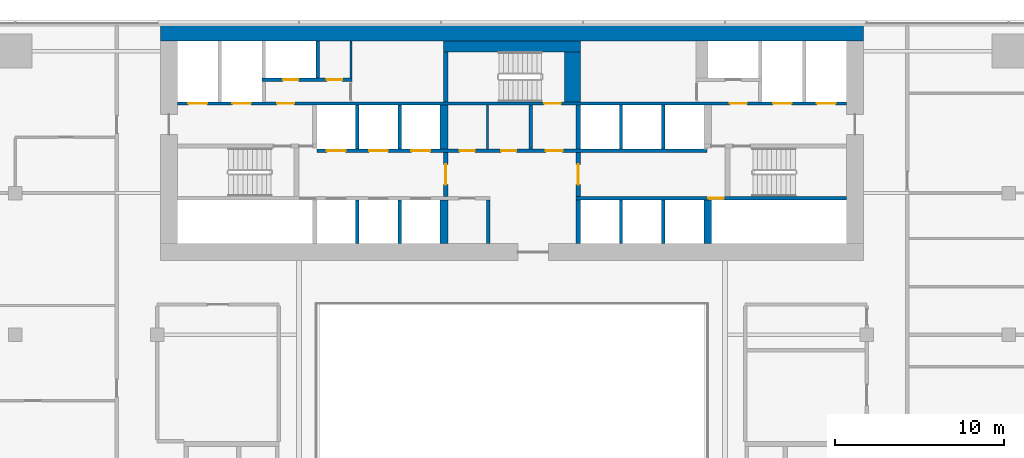
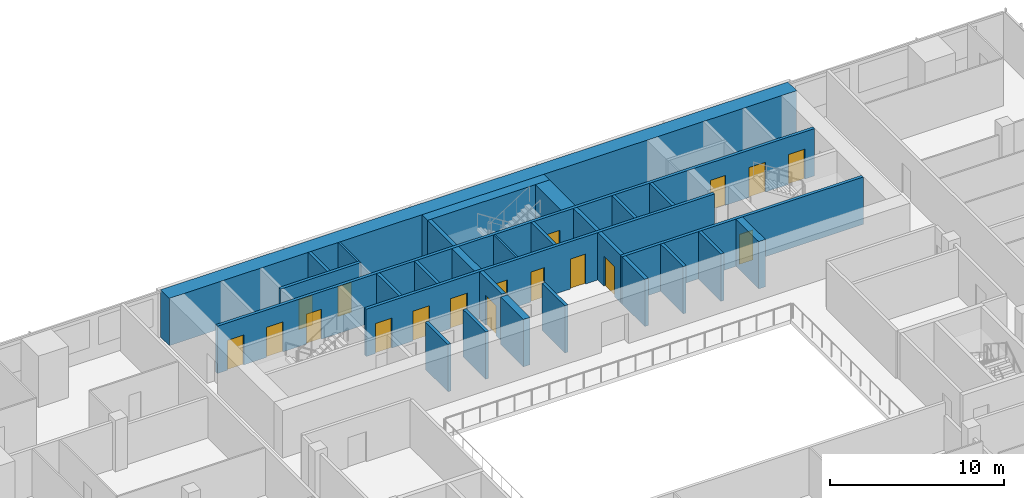
# One storey, part 19 of 25: 28 walls, 18 doors, 18 openings.
"""IFC4 building model written with IfcOpenShell, lengths in metres."""

from ifc_helpers import new_model, si_unit, direction, frame, frame_2d, origin, place, context, subcontext, project, spatial, rectangle, extrude, material, layer, layer_set, type_object, element, fill, save


model = new_model("IFC4")

# Units and contexts
model_context = context("Model", 3, precision=1e-05, world=origin(), true_north=direction((0.0, 1.0)))
body_context = subcontext(model_context, "Body", "Model", "MODEL_VIEW")
ifc_project = project(units=[si_unit("LENGTHUNIT", "METRE"), si_unit("AREAUNIT", "SQUARE_METRE"), si_unit("VOLUMEUNIT", "CUBIC_METRE"), si_unit("PLANEANGLEUNIT", "RADIAN"), si_unit("MASSUNIT", "GRAM", prefix="KILO")], contexts=[model_context])

# Site, building, storey
site_placement = place(None, origin())
site = spatial("IfcSite", under=ifc_project, at=site_placement, CompositionType="ELEMENT")
building_placement = place(site_placement, origin())
building = spatial("IfcBuilding", under=site, at=building_placement, Name="Saffron Gate Tower", CompositionType="ELEMENT")
storey_placement = place(building_placement, frame((0.0, 0.0, 131.25)))
storey = spatial("IfcBuildingStorey", under=building, at=storey_placement, Name="L31", CompositionType="ELEMENT", Elevation=131.25)

# Walls
ifc_material_1 = material(Name="Gypsum board partition on steel studs", Category="steel")
ifc_layer_1 = layer(ifc_material_1, 0.199951171875)
ifc_layer_set_1 = layer_set([ifc_layer_1], Name="CW10 Core partition 200")
wall_type_1 = type_object("IfcWallType", Name="CW10 Core partition 200", PredefinedType="PARTITIONING", material=ifc_layer_set_1)
for number, where, z_axis, x_axis, name in (
    (1, (86.199951171875, 62.39990234375, 0.0), (0.0, 0.0, 1.0), (0.0, 1.0, 0.0), "Wall CW10-L31-9"),
    (2, (88.699951171875, 68.0, 0.0), (0.0, 0.0, 1.0), (0.0, 1.0, 0.0), "Wall CW10-L31-25"),
):
    element("IfcWall", number, at=place(storey_placement, frame(where, z_axis=z_axis, x_axis=x_axis)), inside=storey, type_object=wall_type_1, Name=name, PredefinedType="PARTITIONING", context=body_context, shape_type="SweptSolid", body=[
        extrude(rectangle(XDim=2.60009765625, YDim=0.199951171875, at=frame_2d((1.300048828125, 0.0))), origin(), (0.0, 0.0, 1.0), 3.320068359375),
    ])
ifc_material_2 = material(Name="Concrete C70", Category="concrete")
ifc_layer_2 = layer(ifc_material_2, 1.0)
ifc_layer_set_2 = layer_set([ifc_layer_2], Name="CW12 RC core wall 1000 C70")
wall_type_2 = type_object("IfcWallType", Name="CW12 RC core wall 1000 C70", PredefinedType="SOLIDWALL", material=ifc_layer_set_2)
wall_1_placement = place(storey_placement, frame((66.800048828125, 74.89990234375, 0.0), z_axis=(0.0, 0.0, 1.0), x_axis=(1.0, 0.0, 0.0)))
element("IfcWall", 3, at=wall_1_placement, inside=storey, type_object=wall_type_2, Name="Wall CW12-L31-2", PredefinedType="SOLIDWALL", context=body_context, shape_type="SweptSolid", body=[
    extrude(rectangle(XDim=41.599853515625, YDim=1.0, at=frame_2d((20.7998046875, 0.0))), origin(), (0.0, 0.0, 1.0), 3.320068359375),
])
ifc_layer_3 = layer(ifc_material_2, 0.25)
ifc_layer_set_3 = layer_set([ifc_layer_3], Name="CW2 RC core wall 250 C70")
wall_type_3 = type_object("IfcWallType", Name="CW2 RC core wall 250 C70", PredefinedType="SOLIDWALL", material=ifc_layer_set_3)
wall_2_placement = place(storey_placement, frame((91.52490234375, 62.39990234375, 0.0), z_axis=(0.0, 0.0, 1.0), x_axis=(0.0, 1.0, 0.0)))
element("IfcWall", 4, at=wall_2_placement, inside=storey, type_object=wall_type_3, Name="Wall CW2-L31-10", PredefinedType="SOLIDWALL", context=body_context, shape_type="SweptSolid", body=[
    extrude(rectangle(XDim=2.60009765625, YDim=0.25, at=frame_2d((1.300048828125, 0.0))), origin(), (0.0, 0.0, 1.0), 3.320068359375),
])

# Wall, opening, door
wall_3_placement = place(storey_placement, frame((83.675048828125, 65.199951171875, 0.0), z_axis=(0.0, 0.0, 1.0), x_axis=(0.0, 1.0, 0.0)))
wall_3 = element("IfcWall", 5, at=wall_3_placement, inside=storey, type_object=wall_type_3, Name="Wall CW2-L31-17", PredefinedType="SOLIDWALL", context=body_context, shape_type="SweptSolid", body=[
    extrude(rectangle(XDim=2.60009765625, YDim=0.25, at=frame_2d((1.300048828125, 0.0))), origin(), (0.0, 0.0, 1.0), 3.320068359375),
])
opening_1_placement = place(wall_3_placement, frame((0.699951171875, 0.0, 0.0)))
opening_1 = element("IfcOpeningElement", 6, at=opening_1_placement, cuts=wall_3, Name="Opening CR-07", PredefinedType="OPENING", context=body_context, shape_type="SweptSolid", body=[
    extrude(rectangle(XDim=1.199951171875, YDim=2.10009765625, at=frame_2d((0.60009765625, 1.050048828125))), frame((0.0, 0.135009765625, 0.0), z_axis=(0.0, -1.0, 0.0), x_axis=(1.0, 0.0, 0.0)), (0.0, 0.0, 1.0), 0.27001953125),
])
ifc_material_3 = material(Name="Steel fire door set", Category="steel")
door_type_1 = type_object("IfcDoorType", Name="CD3 Lobby door 1200x2100 EI 120", OperationType="NOTDEFINED", PredefinedType="DOOR", material=ifc_material_3)
door_1_placement = place(opening_1_placement, origin())
door_1 = element("IfcDoor", 7, at=door_1_placement, inside=storey, type_object=door_type_1, Name="DOOR CR-07", OperationType="SINGLE_SWING_RIGHT", OverallHeight=2.10009765625, OverallWidth=1.199951171875, PredefinedType="DOOR", context=body_context, shape_type="SweptSolid", body=[
    extrude(rectangle(XDim=1.199951171875, YDim=2.10009765625, at=frame_2d((0.60009765625, 1.050048828125))), frame((0.0, 0.02490234375, 0.0), z_axis=(0.0, -1.0, 0.0), x_axis=(1.0, 0.0, 0.0)), (0.0, 0.0, 1.0), 0.050048828125),
])
fill(opening_1, door_1)

wall_4_placement = place(storey_placement, frame((91.52490234375, 65.199951171875, 0.0), z_axis=(0.0, 0.0, 1.0), x_axis=(0.0, 1.0, 0.0)))
wall_4 = element("IfcWall", 8, at=wall_4_placement, inside=storey, type_object=wall_type_3, Name="Wall CW2-L31-18", PredefinedType="SOLIDWALL", context=body_context, shape_type="SweptSolid", body=[
    extrude(rectangle(XDim=2.60009765625, YDim=0.25, at=frame_2d((1.300048828125, 0.0))), origin(), (0.0, 0.0, 1.0), 3.320068359375),
])
opening_2_placement = place(wall_4_placement, frame((0.699951171875, 0.0, 0.0)))
opening_2 = element("IfcOpeningElement", 9, at=opening_2_placement, cuts=wall_4, Name="Opening CR-01", PredefinedType="OPENING", context=body_context, shape_type="SweptSolid", body=[
    extrude(rectangle(XDim=1.199951171875, YDim=2.10009765625, at=frame_2d((0.60009765625, 1.050048828125))), frame((0.0, 0.135009765625, 0.0), z_axis=(0.0, -1.0, 0.0), x_axis=(1.0, 0.0, 0.0)), (0.0, 0.0, 1.0), 0.27001953125),
])
door_2_placement = place(opening_2_placement, origin())
door_2 = element("IfcDoor", 10, at=door_2_placement, inside=storey, type_object=door_type_1, Name="DOOR CR-01", OperationType="SINGLE_SWING_RIGHT", OverallHeight=2.10009765625, OverallWidth=1.199951171875, PredefinedType="DOOR", context=body_context, shape_type="SweptSolid", body=[
    extrude(rectangle(XDim=1.199951171875, YDim=2.10009765625, at=frame_2d((0.60009765625, 1.050048828125))), frame((0.0, 0.02490234375, 0.0), z_axis=(0.0, -1.0, 0.0), x_axis=(1.0, 0.0, 0.0)), (0.0, 0.0, 1.0), 0.050048828125),
])
fill(opening_2, door_2)

# Walls
wall_5_placement = place(storey_placement, frame((91.52490234375, 68.0, 0.0), z_axis=(0.0, 0.0, 1.0), x_axis=(0.0, 1.0, 0.0)))
element("IfcWall", 11, at=wall_5_placement, inside=storey, type_object=wall_type_3, Name="Wall CW2-L31-26", PredefinedType="SOLIDWALL", context=body_context, shape_type="SweptSolid", body=[
    extrude(rectangle(XDim=2.60009765625, YDim=0.25, at=frame_2d((1.300048828125, 0.0))), origin(), (0.0, 0.0, 1.0), 3.320068359375),
])
wall_6_placement = place(storey_placement, frame((83.675048828125, 70.800048828125, 0.0), z_axis=(0.0, 0.0, 1.0), x_axis=(0.0, 1.0, 0.0)))
element("IfcWall", 12, at=wall_6_placement, inside=storey, type_object=wall_type_3, Name="Wall CW2-L31-38", PredefinedType="SOLIDWALL", context=body_context, shape_type="SweptSolid", body=[
    extrude(rectangle(XDim=2.949951171875, YDim=0.25, at=frame_2d((1.47509765625, 0.0))), origin(), (0.0, 0.0, 1.0), 3.320068359375),
])
ifc_layer_4 = layer(ifc_material_2, 0.199951171875)
ifc_layer_set_4 = layer_set([ifc_layer_4], Name="CW3 RC core wall 200 C70")
wall_type_4 = type_object("IfcWallType", Name="CW3 RC core wall 200 C70", PredefinedType="SOLIDWALL", material=ifc_layer_set_4)
for number, where, z_axis, x_axis, name in (
    (13, (78.449951171875, 62.39990234375, 0.0), (0.0, 0.0, 1.0), (0.0, 1.0, 0.0), "Wall CW3-L31-6"),
    (14, (80.949951171875, 62.39990234375, 0.0), (0.0, 0.0, 1.0), (0.0, 1.0, 0.0), "Wall CW3-L31-7"),
    (15, (94.050048828125, 62.39990234375, 0.0), (0.0, 0.0, 1.0), (0.0, 1.0, 0.0), "Wall CW3-L31-11"),
    (16, (96.550048828125, 62.39990234375, 0.0), (0.0, 0.0, 1.0), (0.0, 1.0, 0.0), "Wall CW3-L31-12"),
):
    element("IfcWall", number, at=place(storey_placement, frame(where, z_axis=z_axis, x_axis=x_axis)), inside=storey, type_object=wall_type_4, Name=name, PredefinedType="SOLIDWALL", context=body_context, shape_type="SweptSolid", body=[
        extrude(rectangle(XDim=2.60009765625, YDim=0.199951171875, at=frame_2d((1.300048828125, 0.0))), origin(), (0.0, 0.0, 1.0), 3.320068359375),
    ])

# Wall, opening, door
wall_7_placement = place(storey_placement, frame((91.39990234375, 65.10009765625, 0.0), z_axis=(0.0, 0.0, 1.0), x_axis=(1.0, 0.0, 0.0)))
wall_7 = element("IfcWall", 17, at=wall_7_placement, inside=storey, type_object=wall_type_4, Name="Wall CW3-L31-15", PredefinedType="SOLIDWALL", context=body_context, shape_type="SweptSolid", body=[
    extrude(rectangle(XDim=16.0, YDim=0.199951171875, at=frame_2d((8.0, 0.0))), origin(), (0.0, 0.0, 1.0), 3.320068359375),
])
opening_3_placement = place(wall_7_placement, frame((7.830078125, 0.0, 0.0)))
opening_3 = element("IfcOpeningElement", 18, at=opening_3_placement, cuts=wall_7, Name="Opening CR-48", PredefinedType="OPENING", context=body_context, shape_type="SweptSolid", body=[
    extrude(rectangle(XDim=0.89990234375, YDim=2.10009765625, at=frame_2d((0.449951171875, 1.050048828125))), frame((0.0, 0.10986328125, 0.0), z_axis=(0.0, -1.0, 0.0), x_axis=(1.0, 0.0, 0.0)), (0.0, 0.0, 1.0), 0.219970703125),
])
door_type_2 = type_object("IfcDoorType", Name="CD2 Riser door 900x2100 EI 60", OperationType="NOTDEFINED", PredefinedType="DOOR", material=ifc_material_3)
door_3_placement = place(opening_3_placement, origin())
door_3 = element("IfcDoor", 19, at=door_3_placement, inside=storey, type_object=door_type_2, Name="DOOR CR-48", OperationType="SINGLE_SWING_RIGHT", OverallHeight=2.10009765625, OverallWidth=0.89990234375, PredefinedType="DOOR", context=body_context, shape_type="SweptSolid", body=[
    extrude(rectangle(XDim=0.89990234375, YDim=2.10009765625, at=frame_2d((0.449951171875, 1.050048828125))), frame((0.0, 0.02490234375, 0.0), z_axis=(0.0, -1.0, 0.0), x_axis=(1.0, 0.0, 0.0)), (0.0, 0.0, 1.0), 0.050048828125),
])
fill(opening_3, door_3)

# Wall, openings, doors
wall_8_placement = place(storey_placement, frame((76.050048828125, 67.89990234375, 0.0), z_axis=(0.0, 0.0, 1.0), x_axis=(1.0, 0.0, 0.0)))
wall_8 = element("IfcWall", 20, at=wall_8_placement, inside=storey, type_object=wall_type_4, Name="Wall CW3-L31-20", PredefinedType="SOLIDWALL", context=body_context, shape_type="SweptSolid", body=[
    extrude(rectangle(XDim=23.099853515625, YDim=0.199951171875, at=frame_2d((11.5498046875, 0.0))), origin(), (0.0, 0.0, 1.0), 3.320068359375),
])
opening_4_placement = place(wall_8_placement, frame((0.60009765625, 0.0, 0.0)))
opening_4 = element("IfcOpeningElement", 21, at=opening_4_placement, cuts=wall_8, Name="Opening LD-LR4", PredefinedType="OPENING", context=body_context, shape_type="SweptSolid", body=[
    extrude(rectangle(XDim=1.10009765625, YDim=2.10009765625, at=frame_2d((0.550048828125, 1.050048828125))), frame((0.0, 0.10986328125, 0.0), z_axis=(0.0, -1.0, 0.0), x_axis=(1.0, 0.0, 0.0)), (0.0, 0.0, 1.0), 0.219970703125),
])
opening_5_placement = place(wall_8_placement, frame((3.10009765625, 0.0, 0.0)))
opening_5 = element("IfcOpeningElement", 22, at=opening_5_placement, cuts=wall_8, Name="Opening LD-LR5", PredefinedType="OPENING", context=body_context, shape_type="SweptSolid", body=[
    extrude(rectangle(XDim=1.10009765625, YDim=2.10009765625, at=frame_2d((0.550048828125, 1.050048828125))), frame((0.0, 0.10986328125, 0.0), z_axis=(0.0, -1.0, 0.0), x_axis=(1.0, 0.0, 0.0)), (0.0, 0.0, 1.0), 0.219970703125),
])
opening_6_placement = place(wall_8_placement, frame((5.60009765625, 0.0, 0.0)))
opening_6 = element("IfcOpeningElement", 23, at=opening_6_placement, cuts=wall_8, Name="Opening LD-LR6", PredefinedType="OPENING", context=body_context, shape_type="SweptSolid", body=[
    extrude(rectangle(XDim=1.10009765625, YDim=2.10009765625, at=frame_2d((0.550048828125, 1.050048828125))), frame((0.0, 0.10986328125, 0.0), z_axis=(0.0, -1.0, 0.0), x_axis=(1.0, 0.0, 0.0)), (0.0, 0.0, 1.0), 0.219970703125),
])
opening_7_placement = place(wall_8_placement, frame((8.449951171875, 0.0, 0.0)))
opening_7 = element("IfcOpeningElement", 24, at=opening_7_placement, cuts=wall_8, Name="Opening CR-67", PredefinedType="OPENING", context=body_context, shape_type="SweptSolid", body=[
    extrude(rectangle(XDim=0.89990234375, YDim=2.10009765625, at=frame_2d((0.449951171875, 1.050048828125))), frame((0.0, 0.10986328125, 0.0), z_axis=(0.0, -1.0, 0.0), x_axis=(1.0, 0.0, 0.0)), (0.0, 0.0, 1.0), 0.219970703125),
])
opening_8_placement = place(wall_8_placement, frame((10.909912109375, 0.0, 0.0)))
opening_8 = element("IfcOpeningElement", 25, at=opening_8_placement, cuts=wall_8, Name="Opening CR-68", PredefinedType="OPENING", context=body_context, shape_type="SweptSolid", body=[
    extrude(rectangle(XDim=0.89990234375, YDim=2.10009765625, at=frame_2d((0.449951171875, 1.050048828125))), frame((0.0, 0.10986328125, 0.0), z_axis=(0.0, -1.0, 0.0), x_axis=(1.0, 0.0, 0.0)), (0.0, 0.0, 1.0), 0.219970703125),
])
opening_9_placement = place(wall_8_placement, frame((13.550048828125, 0.0, 0.0)))
opening_9 = element("IfcOpeningElement", 26, at=opening_9_placement, cuts=wall_8, Name="Opening CR-02", PredefinedType="OPENING", context=body_context, shape_type="SweptSolid", body=[
    extrude(rectangle(XDim=1.0, YDim=2.10009765625, at=frame_2d((0.5, 1.050048828125))), frame((0.0, 0.10986328125, 0.0), z_axis=(0.0, -1.0, 0.0), x_axis=(1.0, 0.0, 0.0)), (0.0, 0.0, 1.0), 0.219970703125),
])
door_type_3 = type_object("IfcDoorType", Name="CD4 Lobby door 1000x2100 EI 120", OperationType="NOTDEFINED", PredefinedType="DOOR", material=ifc_material_3)
door_4_placement = place(opening_9_placement, origin())
door_4 = element("IfcDoor", 27, at=door_4_placement, inside=storey, type_object=door_type_3, Name="DOOR CR-02", OperationType="SINGLE_SWING_LEFT", OverallHeight=2.10009765625, OverallWidth=1.0, PredefinedType="DOOR", context=body_context, shape_type="SweptSolid", body=[
    extrude(rectangle(XDim=1.0, YDim=2.10009765625, at=frame_2d((0.5, 1.050048828125))), frame((0.0, 0.02490234375, 0.0), z_axis=(0.0, -1.0, 0.0), x_axis=(1.0, 0.0, 0.0)), (0.0, 0.0, 1.0), 0.050048828125),
])
fill(opening_9, door_4)
door_type_4 = type_object("IfcDoorType", Name="CD9 Room door 900x2100 EI 60", OperationType="NOTDEFINED", PredefinedType="DOOR", material=ifc_material_3)
door_5_placement = place(opening_7_placement, origin())
door_5 = element("IfcDoor", 28, at=door_5_placement, inside=storey, type_object=door_type_4, Name="DOOR CR-67", OperationType="SINGLE_SWING_LEFT", OverallHeight=2.10009765625, OverallWidth=0.89990234375, PredefinedType="DOOR", context=body_context, shape_type="SweptSolid", body=[
    extrude(rectangle(XDim=0.89990234375, YDim=2.10009765625, at=frame_2d((0.449951171875, 1.050048828125))), frame((0.0, 0.02490234375, 0.0), z_axis=(0.0, -1.0, 0.0), x_axis=(1.0, 0.0, 0.0)), (0.0, 0.0, 1.0), 0.050048828125),
])
fill(opening_7, door_5)
door_6_placement = place(opening_8_placement, origin())
door_6 = element("IfcDoor", 29, at=door_6_placement, inside=storey, type_object=door_type_4, Name="DOOR CR-68", OperationType="SINGLE_SWING_LEFT", OverallHeight=2.10009765625, OverallWidth=0.89990234375, PredefinedType="DOOR", context=body_context, shape_type="SweptSolid", body=[
    extrude(rectangle(XDim=0.89990234375, YDim=2.10009765625, at=frame_2d((0.449951171875, 1.050048828125))), frame((0.0, 0.02490234375, 0.0), z_axis=(0.0, -1.0, 0.0), x_axis=(1.0, 0.0, 0.0)), (0.0, 0.0, 1.0), 0.050048828125),
])
fill(opening_8, door_6)
ifc_material_4 = material(Name="Stainless steel landing door", Category="steel")
door_type_5 = type_object("IfcDoorType", Name="LD Lift landing door 1100x2100 EI 120", OperationType="SLIDING_TO_LEFT", PredefinedType="DOOR", material=ifc_material_4)
door_7_placement = place(opening_4_placement, origin())
door_7 = element("IfcDoor", 30, at=door_7_placement, inside=storey, type_object=door_type_5, Name="LANDING DOOR LD-LR4", OperationType="SLIDING_TO_RIGHT", OverallHeight=2.10009765625, OverallWidth=1.10009765625, PredefinedType="DOOR", context=body_context, shape_type="SweptSolid", body=[
    extrude(rectangle(XDim=1.10009765625, YDim=2.10009765625, at=frame_2d((0.550048828125, 1.050048828125))), frame((0.0, 0.02490234375, 0.0), z_axis=(0.0, -1.0, 0.0), x_axis=(1.0, 0.0, 0.0)), (0.0, 0.0, 1.0), 0.050048828125),
])
fill(opening_4, door_7)
door_8_placement = place(opening_5_placement, origin())
door_8 = element("IfcDoor", 31, at=door_8_placement, inside=storey, type_object=door_type_5, Name="LANDING DOOR LD-LR5", OperationType="SLIDING_TO_RIGHT", OverallHeight=2.10009765625, OverallWidth=1.10009765625, PredefinedType="DOOR", context=body_context, shape_type="SweptSolid", body=[
    extrude(rectangle(XDim=1.10009765625, YDim=2.10009765625, at=frame_2d((0.550048828125, 1.050048828125))), frame((0.0, 0.02490234375, 0.0), z_axis=(0.0, -1.0, 0.0), x_axis=(1.0, 0.0, 0.0)), (0.0, 0.0, 1.0), 0.050048828125),
])
fill(opening_5, door_8)
door_9_placement = place(opening_6_placement, origin())
door_9 = element("IfcDoor", 32, at=door_9_placement, inside=storey, type_object=door_type_5, Name="LANDING DOOR LD-LR6", OperationType="SLIDING_TO_RIGHT", OverallHeight=2.10009765625, OverallWidth=1.10009765625, PredefinedType="DOOR", context=body_context, shape_type="SweptSolid", body=[
    extrude(rectangle(XDim=1.10009765625, YDim=2.10009765625, at=frame_2d((0.550048828125, 1.050048828125))), frame((0.0, 0.02490234375, 0.0), z_axis=(0.0, -1.0, 0.0), x_axis=(1.0, 0.0, 0.0)), (0.0, 0.0, 1.0), 0.050048828125),
])
fill(opening_6, door_9)

# Walls
for number, where, z_axis, x_axis, name in (
    (33, (78.449951171875, 68.0, 0.0), (0.0, 0.0, 1.0), (0.0, 1.0, 0.0), "Wall CW3-L31-21"),
    (34, (80.949951171875, 68.0, 0.0), (0.0, 0.0, 1.0), (0.0, 1.0, 0.0), "Wall CW3-L31-22"),
    (35, (94.050048828125, 68.0, 0.0), (0.0, 0.0, 1.0), (0.0, 1.0, 0.0), "Wall CW3-L31-27"),
    (36, (96.550048828125, 68.0, 0.0), (0.0, 0.0, 1.0), (0.0, 1.0, 0.0), "Wall CW3-L31-28"),
):
    element("IfcWall", number, at=place(storey_placement, frame(where, z_axis=z_axis, x_axis=x_axis)), inside=storey, type_object=wall_type_4, Name=name, PredefinedType="SOLIDWALL", context=body_context, shape_type="SweptSolid", body=[
        extrude(rectangle(XDim=2.60009765625, YDim=0.199951171875, at=frame_2d((1.300048828125, 0.0))), origin(), (0.0, 0.0, 1.0), 3.320068359375),
    ])

# Wall, openings, doors
wall_9_placement = place(storey_placement, frame((67.800048828125, 70.699951171875, 0.0), z_axis=(0.0, 0.0, 1.0), x_axis=(1.0, 0.0, 0.0)))
wall_9 = element("IfcWall", 37, at=wall_9_placement, inside=storey, type_object=wall_type_4, Name="Wall CW3-L31-34", PredefinedType="SOLIDWALL", context=body_context, shape_type="SweptSolid", body=[
    extrude(rectangle(XDim=39.599853515625, YDim=0.199951171875, at=frame_2d((19.7998046875, 0.0))), origin(), (0.0, 0.0, 1.0), 3.320068359375),
])
opening_10_placement = place(wall_9_placement, frame((0.64990234375, 0.0, 0.0)))
opening_10 = element("IfcOpeningElement", 38, at=opening_10_placement, cuts=wall_9, Name="Opening LD-FF1", PredefinedType="OPENING", context=body_context, shape_type="SweptSolid", body=[
    extrude(rectangle(XDim=1.10009765625, YDim=2.10009765625, at=frame_2d((0.550048828125, 1.050048828125))), frame((0.0, 0.10986328125, 0.0), z_axis=(0.0, -1.0, 0.0), x_axis=(1.0, 0.0, 0.0)), (0.0, 0.0, 1.0), 0.219970703125),
])
opening_11_placement = place(wall_9_placement, frame((3.25, 0.0, 0.0)))
opening_11 = element("IfcOpeningElement", 39, at=opening_11_placement, cuts=wall_9, Name="Opening LD-SV1", PredefinedType="OPENING", context=body_context, shape_type="SweptSolid", body=[
    extrude(rectangle(XDim=1.10009765625, YDim=2.10009765625, at=frame_2d((0.550048828125, 1.050048828125))), frame((0.0, 0.10986328125, 0.0), z_axis=(0.0, -1.0, 0.0), x_axis=(1.0, 0.0, 0.0)), (0.0, 0.0, 1.0), 0.219970703125),
])
opening_12_placement = place(wall_9_placement, frame((5.89990234375, 0.0, 0.0)))
opening_12 = element("IfcOpeningElement", 40, at=opening_12_placement, cuts=wall_9, Name="Opening CR-03", PredefinedType="OPENING", context=body_context, shape_type="SweptSolid", body=[
    extrude(rectangle(XDim=1.0, YDim=2.10009765625, at=frame_2d((0.5, 1.050048828125))), frame((0.0, 0.10986328125, 0.0), z_axis=(0.0, -1.0, 0.0), x_axis=(1.0, 0.0, 0.0)), (0.0, 0.0, 1.0), 0.219970703125),
])
opening_13_placement = place(wall_9_placement, frame((21.699951171875, 0.0, 0.0)))
opening_13 = element("IfcOpeningElement", 41, at=opening_13_placement, cuts=wall_9, Name="Opening CR-17", PredefinedType="OPENING", context=body_context, shape_type="SweptSolid", body=[
    extrude(rectangle(XDim=1.0, YDim=2.10009765625, at=frame_2d((0.5, 1.050048828125))), frame((0.0, 0.10986328125, 0.0), z_axis=(0.0, -1.0, 0.0), x_axis=(1.0, 0.0, 0.0)), (0.0, 0.0, 1.0), 0.219970703125),
])
opening_14_placement = place(wall_9_placement, frame((32.699951171875, 0.0, 0.0)))
opening_14 = element("IfcOpeningElement", 42, at=opening_14_placement, cuts=wall_9, Name="Opening CR-04", PredefinedType="OPENING", context=body_context, shape_type="SweptSolid", body=[
    extrude(rectangle(XDim=1.0, YDim=2.10009765625, at=frame_2d((0.5, 1.050048828125))), frame((0.0, 0.10986328125, 0.0), z_axis=(0.0, -1.0, 0.0), x_axis=(1.0, 0.0, 0.0)), (0.0, 0.0, 1.0), 0.219970703125),
])
opening_15_placement = place(wall_9_placement, frame((35.25, 0.0, 0.0)))
opening_15 = element("IfcOpeningElement", 43, at=opening_15_placement, cuts=wall_9, Name="Opening LD-SV2", PredefinedType="OPENING", context=body_context, shape_type="SweptSolid", body=[
    extrude(rectangle(XDim=1.10009765625, YDim=2.10009765625, at=frame_2d((0.550048828125, 1.050048828125))), frame((0.0, 0.10986328125, 0.0), z_axis=(0.0, -1.0, 0.0), x_axis=(1.0, 0.0, 0.0)), (0.0, 0.0, 1.0), 0.219970703125),
])
opening_16_placement = place(wall_9_placement, frame((37.85009765625, 0.0, 0.0)))
opening_16 = element("IfcOpeningElement", 44, at=opening_16_placement, cuts=wall_9, Name="Opening LD-FF2", PredefinedType="OPENING", context=body_context, shape_type="SweptSolid", body=[
    extrude(rectangle(XDim=1.10009765625, YDim=2.10009765625, at=frame_2d((0.550048828125, 1.050048828125))), frame((0.0, 0.10986328125, 0.0), z_axis=(0.0, -1.0, 0.0), x_axis=(1.0, 0.0, 0.0)), (0.0, 0.0, 1.0), 0.219970703125),
])
door_10_placement = place(opening_12_placement, origin())
door_10 = element("IfcDoor", 45, at=door_10_placement, inside=storey, type_object=door_type_3, Name="DOOR CR-03", OperationType="SINGLE_SWING_LEFT", OverallHeight=2.10009765625, OverallWidth=1.0, PredefinedType="DOOR", context=body_context, shape_type="SweptSolid", body=[
    extrude(rectangle(XDim=1.0, YDim=2.10009765625, at=frame_2d((0.5, 1.050048828125))), frame((0.0, 0.02490234375, 0.0), z_axis=(0.0, -1.0, 0.0), x_axis=(1.0, 0.0, 0.0)), (0.0, 0.0, 1.0), 0.050048828125),
])
fill(opening_12, door_10)
door_11_placement = place(opening_14_placement, origin())
door_11 = element("IfcDoor", 46, at=door_11_placement, inside=storey, type_object=door_type_3, Name="DOOR CR-04", OperationType="SINGLE_SWING_RIGHT", OverallHeight=2.10009765625, OverallWidth=1.0, PredefinedType="DOOR", context=body_context, shape_type="SweptSolid", body=[
    extrude(rectangle(XDim=1.0, YDim=2.10009765625, at=frame_2d((0.5, 1.050048828125))), frame((0.0, 0.02490234375, 0.0), z_axis=(0.0, -1.0, 0.0), x_axis=(1.0, 0.0, 0.0)), (0.0, 0.0, 1.0), 0.050048828125),
])
fill(opening_14, door_11)
door_type_6 = type_object("IfcDoorType", Name="CD5 Stair door 1000x2100 EI 120", OperationType="NOTDEFINED", PredefinedType="DOOR", material=ifc_material_3)
door_12_placement = place(opening_13_placement, origin())
door_12 = element("IfcDoor", 47, at=door_12_placement, inside=storey, type_object=door_type_6, Name="DOOR CR-17", OperationType="SINGLE_SWING_RIGHT", OverallHeight=2.10009765625, OverallWidth=1.0, PredefinedType="DOOR", context=body_context, shape_type="SweptSolid", body=[
    extrude(rectangle(XDim=1.0, YDim=2.10009765625, at=frame_2d((0.5, 1.050048828125))), frame((0.0, 0.02490234375, 0.0), z_axis=(0.0, -1.0, 0.0), x_axis=(1.0, 0.0, 0.0)), (0.0, 0.0, 1.0), 0.050048828125),
])
fill(opening_13, door_12)
door_13_placement = place(opening_10_placement, origin())
door_13 = element("IfcDoor", 48, at=door_13_placement, inside=storey, type_object=door_type_5, Name="LANDING DOOR LD-FF1", OperationType="SLIDING_TO_RIGHT", OverallHeight=2.10009765625, OverallWidth=1.10009765625, PredefinedType="DOOR", context=body_context, shape_type="SweptSolid", body=[
    extrude(rectangle(XDim=1.10009765625, YDim=2.10009765625, at=frame_2d((0.550048828125, 1.050048828125))), frame((0.0, 0.02490234375, 0.0), z_axis=(0.0, -1.0, 0.0), x_axis=(1.0, 0.0, 0.0)), (0.0, 0.0, 1.0), 0.050048828125),
])
fill(opening_10, door_13)
door_14_placement = place(opening_11_placement, origin())
door_14 = element("IfcDoor", 49, at=door_14_placement, inside=storey, type_object=door_type_5, Name="LANDING DOOR LD-SV1", OperationType="SLIDING_TO_RIGHT", OverallHeight=2.10009765625, OverallWidth=1.10009765625, PredefinedType="DOOR", context=body_context, shape_type="SweptSolid", body=[
    extrude(rectangle(XDim=1.10009765625, YDim=2.10009765625, at=frame_2d((0.550048828125, 1.050048828125))), frame((0.0, 0.02490234375, 0.0), z_axis=(0.0, -1.0, 0.0), x_axis=(1.0, 0.0, 0.0)), (0.0, 0.0, 1.0), 0.050048828125),
])
fill(opening_11, door_14)
door_15_placement = place(opening_15_placement, origin())
door_15 = element("IfcDoor", 50, at=door_15_placement, inside=storey, type_object=door_type_5, Name="LANDING DOOR LD-SV2", OperationType="SLIDING_TO_RIGHT", OverallHeight=2.10009765625, OverallWidth=1.10009765625, PredefinedType="DOOR", context=body_context, shape_type="SweptSolid", body=[
    extrude(rectangle(XDim=1.10009765625, YDim=2.10009765625, at=frame_2d((0.550048828125, 1.050048828125))), frame((0.0, 0.02490234375, 0.0), z_axis=(0.0, -1.0, 0.0), x_axis=(1.0, 0.0, 0.0)), (0.0, 0.0, 1.0), 0.050048828125),
])
fill(opening_15, door_15)
door_16_placement = place(opening_16_placement, origin())
door_16 = element("IfcDoor", 51, at=door_16_placement, inside=storey, type_object=door_type_5, Name="LANDING DOOR LD-FF2", OperationType="SLIDING_TO_RIGHT", OverallHeight=2.10009765625, OverallWidth=1.10009765625, PredefinedType="DOOR", context=body_context, shape_type="SweptSolid", body=[
    extrude(rectangle(XDim=1.10009765625, YDim=2.10009765625, at=frame_2d((0.550048828125, 1.050048828125))), frame((0.0, 0.02490234375, 0.0), z_axis=(0.0, -1.0, 0.0), x_axis=(1.0, 0.0, 0.0)), (0.0, 0.0, 1.0), 0.050048828125),
])
fill(opening_16, door_16)

wall_10_placement = place(storey_placement, frame((72.800048828125, 72.10009765625, 0.0), z_axis=(0.0, 0.0, 1.0), x_axis=(1.0, 0.0, 0.0)))
wall_10 = element("IfcWall", 52, at=wall_10_placement, inside=storey, type_object=wall_type_4, Name="Wall CW3-L31-43", PredefinedType="SOLIDWALL", context=body_context, shape_type="SweptSolid", body=[
    extrude(rectangle(XDim=5.320068359375, YDim=0.199951171875, at=frame_2d((2.66015625, 0.0))), origin(), (0.0, 0.0, 1.0), 3.320068359375),
])
opening_17_placement = place(wall_10_placement, frame((1.25, 0.0, 0.0)))
opening_17 = element("IfcOpeningElement", 53, at=opening_17_placement, cuts=wall_10, Name="Opening CR-71", PredefinedType="OPENING", context=body_context, shape_type="SweptSolid", body=[
    extrude(rectangle(XDim=0.89990234375, YDim=2.10009765625, at=frame_2d((0.449951171875, 1.050048828125))), frame((0.0, 0.10986328125, 0.0), z_axis=(0.0, -1.0, 0.0), x_axis=(1.0, 0.0, 0.0)), (0.0, 0.0, 1.0), 0.219970703125),
])
opening_18_placement = place(wall_10_placement, frame((3.85009765625, 0.0, 0.0)))
opening_18 = element("IfcOpeningElement", 54, at=opening_18_placement, cuts=wall_10, Name="Opening CR-55", PredefinedType="OPENING", context=body_context, shape_type="SweptSolid", body=[
    extrude(rectangle(XDim=0.89990234375, YDim=2.10009765625, at=frame_2d((0.449951171875, 1.050048828125))), frame((0.0, 0.10986328125, 0.0), z_axis=(0.0, -1.0, 0.0), x_axis=(1.0, 0.0, 0.0)), (0.0, 0.0, 1.0), 0.219970703125),
])
door_17_placement = place(opening_17_placement, origin())
door_17 = element("IfcDoor", 55, at=door_17_placement, inside=storey, type_object=door_type_2, Name="DOOR CR-71", OperationType="SINGLE_SWING_LEFT", OverallHeight=2.10009765625, OverallWidth=0.89990234375, PredefinedType="DOOR", context=body_context, shape_type="SweptSolid", body=[
    extrude(rectangle(XDim=0.89990234375, YDim=2.10009765625, at=frame_2d((0.449951171875, 1.050048828125))), frame((0.0, 0.02490234375, 0.0), z_axis=(0.0, -1.0, 0.0), x_axis=(1.0, 0.0, 0.0)), (0.0, 0.0, 1.0), 0.050048828125),
])
fill(opening_17, door_17)
door_18_placement = place(opening_18_placement, origin())
door_18 = element("IfcDoor", 56, at=door_18_placement, inside=storey, type_object=door_type_4, Name="DOOR CR-55", OperationType="SINGLE_SWING_LEFT", OverallHeight=2.10009765625, OverallWidth=0.89990234375, PredefinedType="DOOR", context=body_context, shape_type="SweptSolid", body=[
    extrude(rectangle(XDim=0.89990234375, YDim=2.10009765625, at=frame_2d((0.449951171875, 1.050048828125))), frame((0.0, 0.02490234375, 0.0), z_axis=(0.0, -1.0, 0.0), x_axis=(1.0, 0.0, 0.0)), (0.0, 0.0, 1.0), 0.050048828125),
])
fill(opening_18, door_18)

# Walls
wall_11_placement = place(storey_placement, frame((76.10009765625, 72.199951171875, 0.0), z_axis=(0.0, 0.0, 1.0), x_axis=(0.0, 1.0, 0.0)))
element("IfcWall", 57, at=wall_11_placement, inside=storey, type_object=wall_type_4, Name="Wall CW3-L31-46", PredefinedType="SOLIDWALL", context=body_context, shape_type="SweptSolid", body=[
    extrude(rectangle(XDim=2.199951171875, YDim=0.199951171875, at=frame_2d((1.10009765625, 0.0))), origin(), (0.0, 0.0, 1.0), 3.320068359375),
])
ifc_layer_5 = layer(ifc_material_2, 0.449951171875)
ifc_layer_set_5 = layer_set([ifc_layer_5], Name="CW4 RC core wall 450 C70")
wall_type_5 = type_object("IfcWallType", Name="CW4 RC core wall 450 C70", PredefinedType="SOLIDWALL", material=ifc_layer_set_5)
for number, where, z_axis, x_axis, name in (
    (58, (83.574951171875, 62.39990234375, 0.0), (0.0, 0.0, 1.0), (0.0, 1.0, 0.0), "Wall CW4-L31-8"),
    (59, (99.175048828125, 62.39990234375, 0.0), (0.0, 0.0, 1.0), (0.0, 1.0, 0.0), "Wall CW4-L31-13"),
    (60, (83.574951171875, 68.0, 0.0), (0.0, 0.0, 1.0), (0.0, 1.0, 0.0), "Wall CW4-L31-23"),
):
    element("IfcWall", number, at=place(storey_placement, frame(where, z_axis=z_axis, x_axis=x_axis)), inside=storey, type_object=wall_type_5, Name=name, PredefinedType="SOLIDWALL", context=body_context, shape_type="SweptSolid", body=[
        extrude(rectangle(XDim=2.60009765625, YDim=0.449951171875, at=frame_2d((1.300048828125, 0.0))), origin(), (0.0, 0.0, 1.0), 3.320068359375),
    ])
ifc_layer_6 = layer(ifc_material_2, 0.949951171875)
ifc_layer_set_6 = layer_set([ifc_layer_6], Name="CW7 RC core wall 950 C70")
wall_type_6 = type_object("IfcWallType", Name="CW7 RC core wall 950 C70", PredefinedType="SOLIDWALL", material=ifc_layer_set_6)
wall_12_placement = place(storey_placement, frame((91.175048828125, 70.800048828125, 0.0), z_axis=(0.0, 0.0, 1.0), x_axis=(0.0, 1.0, 0.0)))
element("IfcWall", 61, at=wall_12_placement, inside=storey, type_object=wall_type_6, Name="Wall CW7-L31-39", PredefinedType="SOLIDWALL", context=body_context, shape_type="SweptSolid", body=[
    extrude(rectangle(XDim=2.949951171875, YDim=0.949951171875, at=frame_2d((1.47509765625, 0.0))), origin(), (0.0, 0.0, 1.0), 3.320068359375),
])
ifc_layer_7 = layer(ifc_material_1, 0.1201171875)
ifc_layer_set_7 = layer_set([ifc_layer_7], Name="CW8 Core partition 120")
wall_type_7 = type_object("IfcWallType", Name="CW8 Core partition 120", PredefinedType="PARTITIONING", material=ifc_layer_set_7)
wall_13_placement = place(storey_placement, frame((86.159912109375, 68.0, 0.0), z_axis=(0.0, 0.0, 1.0), x_axis=(0.0, 1.0, 0.0)))
element("IfcWall", 62, at=wall_13_placement, inside=storey, type_object=wall_type_7, Name="Wall CW8-L31-24", PredefinedType="PARTITIONING", context=body_context, shape_type="SweptSolid", body=[
    extrude(rectangle(XDim=2.60009765625, YDim=0.1201171875, at=frame_2d((1.300048828125, 0.0))), origin(), (0.0, 0.0, 1.0), 3.320068359375),
])
wall_14_placement = place(storey_placement, frame((78.06005859375, 72.199951171875, 0.0), z_axis=(0.0, 0.0, 1.0), x_axis=(0.0, 1.0, 0.0)))
element("IfcWall", 63, at=wall_14_placement, inside=storey, type_object=wall_type_7, Name="Wall CW8-L31-47", PredefinedType="PARTITIONING", context=body_context, shape_type="SweptSolid", body=[
    extrude(rectangle(XDim=2.199951171875, YDim=0.1201171875, at=frame_2d((1.10009765625, 0.0))), origin(), (0.0, 0.0, 1.0), 3.320068359375),
])
ifc_layer_8 = layer(ifc_material_2, 0.64990234375)
ifc_layer_set_8 = layer_set([ifc_layer_8], Name="CW9 RC core wall 650 C70")
wall_type_8 = type_object("IfcWallType", Name="CW9 RC core wall 650 C70", PredefinedType="SOLIDWALL", material=ifc_layer_set_8)
wall_15_placement = place(storey_placement, frame((83.550048828125, 74.074951171875, 0.0), z_axis=(0.0, 0.0, 1.0), x_axis=(1.0, 0.0, 0.0)))
element("IfcWall", 64, at=wall_15_placement, inside=storey, type_object=wall_type_8, Name="Wall CW9-L31-50", PredefinedType="SOLIDWALL", context=body_context, shape_type="SweptSolid", body=[
    extrude(rectangle(XDim=8.099853515625, YDim=0.64990234375, at=frame_2d((4.0498046875, 0.0))), origin(), (0.0, 0.0, 1.0), 3.320068359375),
])

save(model, "model.ifc")
